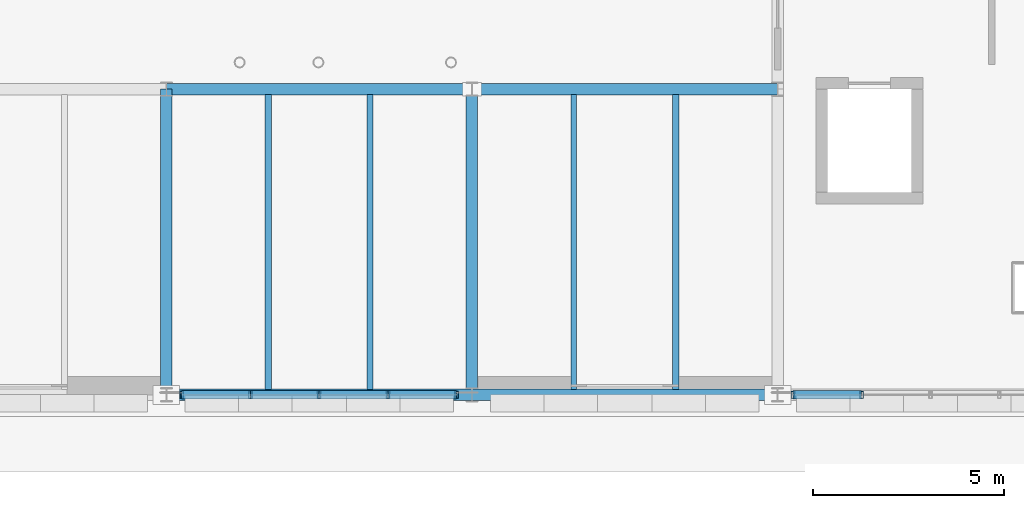
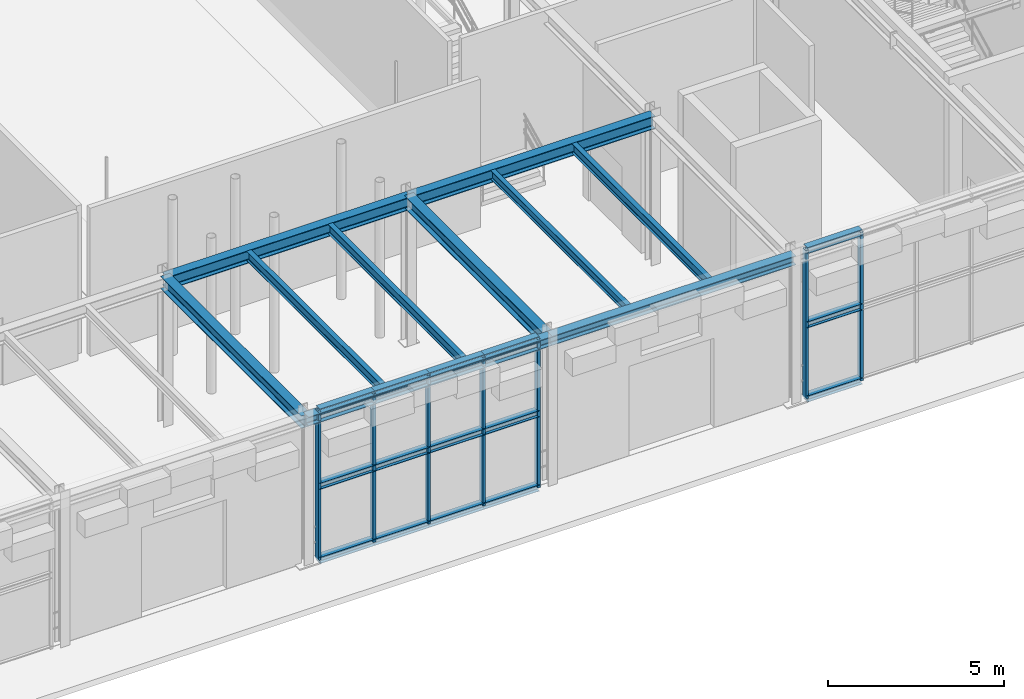
# One storey, part 28 of 129: 22 members, 10 beams, 2 elements without a shape of their own.
"""IFC4 building model written with IfcOpenShell, lengths in metres."""

from ifc_helpers import new_model, si_unit, direction, frame, origin, origin_2d, place, context, subcontext, project, spatial, hollow_rectangle, i_section, extrude, material, material_profile, profile_set, type_object, element, aggregate, save


model = new_model("IFC4")

# Units and contexts
model_context = context("Model", 3, precision=1e-05, world=origin(), true_north=direction((0.0, 1.0)))
body_context = subcontext(model_context, "Body", "Model", "MODEL_VIEW")
ifc_project = project(units=[si_unit("LENGTHUNIT", "METRE"), si_unit("AREAUNIT", "SQUARE_METRE"), si_unit("VOLUMEUNIT", "CUBIC_METRE"), si_unit("PLANEANGLEUNIT", "RADIAN"), si_unit("MASSUNIT", "GRAM", prefix="KILO")], contexts=[model_context])

# Site, building, storey
site_placement = place(None, origin())
site = spatial("IfcSite", under=ifc_project, at=site_placement, CompositionType="ELEMENT")
building_placement = place(site_placement, origin())
building = spatial("IfcBuilding", under=site, at=building_placement, Name="Sundkrona Museum", CompositionType="ELEMENT")
storey_placement = place(building_placement, origin())
storey = spatial("IfcBuildingStorey", under=building, at=storey_placement, Name="L00", CompositionType="ELEMENT", Elevation=0.0)

# Beams
ifc_material_1 = material(Name="Steel S355J2", Category="steel")
ifc_material_profile_1 = material_profile(ifc_material_1, i_section(OverallWidth=0.300048828125, OverallDepth=0.43994140625, WebThickness=0.011474609375, FlangeThickness=0.02099609375, FilletRadius=0.027099609375, at=origin_2d()), Name="HEA 450")
ifc_profile_set_1 = profile_set([ifc_material_profile_1], Name="Steel S355J2")
beam_type_1 = type_object("IfcBeamType", Name="B-HEA450", PredefinedType="BEAM", material=ifc_profile_set_1)
for number, where, z_axis, x_axis, name in (
    (1, (96.0, 8.0, 4.919921875), (1.0, 0.0, 0.0), (0.0, 1.0, 0.0), "L00 Girder X-0436"),
    (2, (104.0, 8.0, 4.919921875), (1.0, 0.0, 0.0), (0.0, 1.0, 0.0), "L00 Girder X-0437"),
    (3, (96.0, 0.0, 4.919921875), (0.0, 1.0, 0.0), (-1.0, 0.0, 0.0), "L00 Girder Y-0699"),
    (4, (104.0, 0.0, 4.919921875), (0.0, 1.0, 0.0), (-1.0, 0.0, 0.0), "L00 Girder Y-0709"),
):
    element("IfcBeam", number, at=place(storey_placement, frame(where, z_axis=z_axis, x_axis=x_axis)), inside=storey, type_object=beam_type_1, Name=name, PredefinedType="BEAM", context=body_context, shape_type="SweptSolid", body=[
        extrude(i_section(OverallWidth=0.300048828125, OverallDepth=0.43994140625, WebThickness=0.011474609375, FlangeThickness=0.02099609375, FilletRadius=0.027099609375, at=origin_2d()), origin(), (0.0, 0.0, 1.0), 8.0),
    ])
ifc_material_profile_2 = material_profile(ifc_material_1, i_section(OverallWidth=0.14990234375, OverallDepth=0.300048828125, WebThickness=0.007080078125, FlangeThickness=0.0107421875, FilletRadius=0.014892578125, at=origin_2d()), Name="IPE 300")
ifc_profile_set_2 = profile_set([ifc_material_profile_2], Name="Steel S355J2")
beam_type_2 = type_object("IfcBeamType", Name="J-IPE300", PredefinedType="JOIST", material=ifc_profile_set_2)
beam_placement = place(storey_placement, frame((106.666748046875, 0.14404296875, 4.989990234375), z_axis=(0.0, 1.0, 0.0), x_axis=(-1.0, 0.0, 0.0)))
element("IfcBeam", 5, at=beam_placement, inside=storey, type_object=beam_type_2, Name="L00 Composite Joist 0435", PredefinedType="JOIST", context=body_context, shape_type="SweptSolid", body=[
    extrude(i_section(OverallWidth=0.14990234375, OverallDepth=0.300048828125, WebThickness=0.007080078125, FlangeThickness=0.0107421875, FilletRadius=0.014892578125, at=origin_2d()), origin(), (0.0, 0.0, 1.0), 7.7119140625),
])
ifc_material_profile_3 = material_profile(ifc_material_1, i_section(OverallWidth=0.159912109375, OverallDepth=0.330078125, WebThickness=0.007568359375, FlangeThickness=0.011474609375, FilletRadius=0.01806640625, at=origin_2d()), Name="IPE 330")
ifc_profile_set_3 = profile_set([ifc_material_profile_3], Name="Steel S355J2")
beam_type_3 = type_object("IfcBeamType", Name="J-IPE330", PredefinedType="JOIST", material=ifc_profile_set_3)
for number, where, z_axis, x_axis, name in (
    (6, (98.666748046875, 0.14404296875, 4.97509765625), (0.0, 1.0, 0.0), (-1.0, 0.0, 0.0), "L00 Composite Joist 0431"),
    (7, (101.333251953125, 0.14404296875, 4.97509765625), (0.0, 1.0, 0.0), (-1.0, 0.0, 0.0), "L00 Composite Joist 0432"),
    (8, (109.333251953125, 0.14404296875, 4.97509765625), (0.0, 1.0, 0.0), (-1.0, 0.0, 0.0), "L00 Composite Joist 0436"),
):
    element("IfcBeam", number, at=place(storey_placement, frame(where, z_axis=z_axis, x_axis=x_axis)), inside=storey, type_object=beam_type_3, Name=name, PredefinedType="JOIST", context=body_context, shape_type="SweptSolid", body=[
        extrude(i_section(OverallWidth=0.159912109375, OverallDepth=0.330078125, WebThickness=0.007568359375, FlangeThickness=0.011474609375, FilletRadius=0.01806640625, at=origin_2d()), origin(), (0.0, 0.0, 1.0), 7.7119140625),
    ])

# Curtain wall, members
ifc_material_2 = material(Name="Unitised Aluminium-Steel and Ceramic-Clad Curtain Walling", Category="steel")
curtain_wall_type = type_object("IfcCurtainWallType", Name="CW-AT-72x50", PredefinedType="NOTDEFINED", material=ifc_material_2)
curtain_wall_1_placement = place(storey_placement, origin())
curtain_wall_1 = element("IfcCurtainWall", 9, at=curtain_wall_1_placement, inside=storey, type_object=curtain_wall_type, Name="L00 Curtain Wall CW-L00-018", PredefinedType="NOTDEFINED")
ifc_material_3 = material(Name="Aluminium EN AW-6060 T66", Category="aluminium")
ifc_material_profile_4 = material_profile(ifc_material_3, hollow_rectangle(XDim=0.090087890625, YDim=0.179931640625, WallThickness=0.00634765625, at=origin_2d()), Name="RHS 180x90x6.3")
ifc_profile_set_4 = profile_set([ifc_material_profile_4], Name="Aluminium EN AW-6060 T66")
member_type_1 = type_object("IfcMemberType", Name="ML-180", PredefinedType="MULLION", material=ifc_profile_set_4)
member_1_placement = place(storey_placement, frame((96.39990234375, 0.0, -0.00390625), z_axis=(0.0, 0.0, 1.0), x_axis=(1.0, 0.0, 0.0)))
member_1 = element("IfcMember", 10, at=member_1_placement, type_object=member_type_1, Name="CW-L00-018 Mullion 01", PredefinedType="MULLION", context=body_context, shape_type="SweptSolid", body=[
    extrude(hollow_rectangle(XDim=0.090087890625, YDim=0.179931640625, WallThickness=0.00634765625, at=origin_2d()), origin(), (0.0, 0.0, 1.0), 5.14794921875),
])
member_2_placement = place(storey_placement, frame((98.199951171875, 0.0, -0.00390625), z_axis=(0.0, 0.0, 1.0), x_axis=(1.0, 0.0, 0.0)))
member_2 = element("IfcMember", 11, at=member_2_placement, type_object=member_type_1, Name="CW-L00-018 Mullion 02", PredefinedType="MULLION", context=body_context, shape_type="SweptSolid", body=[
    extrude(hollow_rectangle(XDim=0.090087890625, YDim=0.179931640625, WallThickness=0.00634765625, at=origin_2d()), origin(), (0.0, 0.0, 1.0), 5.14794921875),
])
member_3_placement = place(storey_placement, frame((100.0, 0.0, -0.00390625), z_axis=(0.0, 0.0, 1.0), x_axis=(1.0, 0.0, 0.0)))
member_3 = element("IfcMember", 12, at=member_3_placement, type_object=member_type_1, Name="CW-L00-018 Mullion 03", PredefinedType="MULLION", context=body_context, shape_type="SweptSolid", body=[
    extrude(hollow_rectangle(XDim=0.090087890625, YDim=0.179931640625, WallThickness=0.00634765625, at=origin_2d()), origin(), (0.0, 0.0, 1.0), 5.14794921875),
])
member_4_placement = place(storey_placement, frame((101.800048828125, 0.0, -0.00390625), z_axis=(0.0, 0.0, 1.0), x_axis=(1.0, 0.0, 0.0)))
member_4 = element("IfcMember", 13, at=member_4_placement, type_object=member_type_1, Name="CW-L00-018 Mullion 04", PredefinedType="MULLION", context=body_context, shape_type="SweptSolid", body=[
    extrude(hollow_rectangle(XDim=0.090087890625, YDim=0.179931640625, WallThickness=0.00634765625, at=origin_2d()), origin(), (0.0, 0.0, 1.0), 5.14794921875),
])
member_5_placement = place(storey_placement, frame((103.60009765625, 0.0, -0.00390625), z_axis=(0.0, 0.0, 1.0), x_axis=(1.0, 0.0, 0.0)))
member_5 = element("IfcMember", 14, at=member_5_placement, type_object=member_type_1, Name="CW-L00-018 Mullion 05", PredefinedType="MULLION", context=body_context, shape_type="SweptSolid", body=[
    extrude(hollow_rectangle(XDim=0.090087890625, YDim=0.179931640625, WallThickness=0.00634765625, at=origin_2d()), origin(), (0.0, 0.0, 1.0), 5.14794921875),
])

curtain_wall_2_placement = place(storey_placement, origin())
curtain_wall_2 = element("IfcCurtainWall", 15, at=curtain_wall_2_placement, inside=storey, type_object=curtain_wall_type, Name="L00 Curtain Wall CW-L00-019", PredefinedType="NOTDEFINED")
member_6_placement = place(storey_placement, frame((112.39990234375, 0.0, -0.00390625), z_axis=(0.0, 0.0, 1.0), x_axis=(1.0, 0.0, 0.0)))
member_6 = element("IfcMember", 16, at=member_6_placement, type_object=member_type_1, Name="CW-L00-019 Mullion 01", PredefinedType="MULLION", context=body_context, shape_type="SweptSolid", body=[
    extrude(hollow_rectangle(XDim=0.090087890625, YDim=0.179931640625, WallThickness=0.00634765625, at=origin_2d()), origin(), (0.0, 0.0, 1.0), 5.14794921875),
])
member_7_placement = place(storey_placement, frame((114.199951171875, 0.0, -0.00390625), z_axis=(0.0, 0.0, 1.0), x_axis=(1.0, 0.0, 0.0)))
member_7 = element("IfcMember", 17, at=member_7_placement, type_object=member_type_1, Name="CW-L00-019 Mullion 02", PredefinedType="MULLION", context=body_context, shape_type="SweptSolid", body=[
    extrude(hollow_rectangle(XDim=0.090087890625, YDim=0.179931640625, WallThickness=0.00634765625, at=origin_2d()), origin(), (0.0, 0.0, 1.0), 5.14794921875),
])

# Beams
ifc_material_profile_5 = material_profile(ifc_material_1, i_section(OverallWidth=0.300048828125, OverallDepth=0.320068359375, WebThickness=0.011474609375, FlangeThickness=0.0205078125, FilletRadius=0.027099609375, at=origin_2d()), Name="HEB 320")
ifc_profile_set_5 = profile_set([ifc_material_profile_5], Name="Steel S355J2")
beam_type_4 = type_object("IfcBeamType", Name="SP-HEB320", PredefinedType="SPANDREL", material=ifc_profile_set_5)
for number, where, z_axis, x_axis, name in (
    (18, (96.0, 0.0, 4.97998046875), (1.0, 0.0, 0.0), (0.0, 1.0, 0.0), "L00 Girder X-0425"),
    (19, (104.0, 0.0, 4.97998046875), (1.0, 0.0, 0.0), (0.0, 1.0, 0.0), "L00 Girder X-0426"),
):
    element("IfcBeam", number, at=place(storey_placement, frame(where, z_axis=z_axis, x_axis=x_axis)), inside=storey, type_object=beam_type_4, Name=name, PredefinedType="SPANDREL", context=body_context, shape_type="SweptSolid", body=[
        extrude(i_section(OverallWidth=0.300048828125, OverallDepth=0.320068359375, WebThickness=0.011474609375, FlangeThickness=0.0205078125, FilletRadius=0.027099609375, at=origin_2d()), origin(), (0.0, 0.0, 1.0), 8.0),
    ])

# Member
ifc_material_profile_6 = material_profile(ifc_material_1, i_section(OverallWidth=0.219970703125, OverallDepth=0.219970703125, WebThickness=0.009521484375, FlangeThickness=0.01611328125, FilletRadius=0.01806640625, at=origin_2d()), Name="HEB 220")
ifc_profile_set_6 = profile_set([ifc_material_profile_6], Name="Steel S355J2")
member_type_2 = type_object("IfcMemberType", Name="TR-HEB220", PredefinedType="USERDEFINED", material=ifc_profile_set_6)
member_8_placement = place(storey_placement, frame((96.39990234375, 0.0, -0.00390625), z_axis=(1.0, 0.0, 0.0), x_axis=(0.0, 1.0, 0.0)))
member_8 = element("IfcMember", 20, at=member_8_placement, type_object=member_type_2, Name="CW-L00-018 Transom 01", ObjectType="TRANSOM", PredefinedType="USERDEFINED", context=body_context, shape_type="SweptSolid", body=[
    extrude(i_section(OverallWidth=0.219970703125, OverallDepth=0.219970703125, WebThickness=0.009521484375, FlangeThickness=0.01611328125, FilletRadius=0.01806640625, at=origin_2d()), origin(), (0.0, 0.0, 1.0), 1.800048828125),
])

member_9_placement = place(storey_placement, frame((96.39990234375, 0.0, 2.570068359375), z_axis=(1.0, 0.0, 0.0), x_axis=(0.0, 1.0, 0.0)))
member_9 = element("IfcMember", 21, at=member_9_placement, type_object=member_type_2, Name="CW-L00-018 Transom 02", ObjectType="TRANSOM", PredefinedType="USERDEFINED", context=body_context, shape_type="SweptSolid", body=[
    extrude(i_section(OverallWidth=0.219970703125, OverallDepth=0.219970703125, WebThickness=0.009521484375, FlangeThickness=0.01611328125, FilletRadius=0.01806640625, at=origin_2d()), origin(), (0.0, 0.0, 1.0), 1.800048828125),
])

member_10_placement = place(storey_placement, frame((96.39990234375, 0.0, 5.14404296875), z_axis=(1.0, 0.0, 0.0), x_axis=(0.0, 1.0, 0.0)))
member_10 = element("IfcMember", 22, at=member_10_placement, type_object=member_type_2, Name="CW-L00-018 Transom 03", ObjectType="TRANSOM", PredefinedType="USERDEFINED", context=body_context, shape_type="SweptSolid", body=[
    extrude(i_section(OverallWidth=0.219970703125, OverallDepth=0.219970703125, WebThickness=0.009521484375, FlangeThickness=0.01611328125, FilletRadius=0.01806640625, at=origin_2d()), origin(), (0.0, 0.0, 1.0), 1.800048828125),
])

member_11_placement = place(storey_placement, frame((98.199951171875, 0.0, -0.00390625), z_axis=(1.0, 0.0, 0.0), x_axis=(0.0, 1.0, 0.0)))
member_11 = element("IfcMember", 23, at=member_11_placement, type_object=member_type_2, Name="CW-L00-018 Transom 04", ObjectType="TRANSOM", PredefinedType="USERDEFINED", context=body_context, shape_type="SweptSolid", body=[
    extrude(i_section(OverallWidth=0.219970703125, OverallDepth=0.219970703125, WebThickness=0.009521484375, FlangeThickness=0.01611328125, FilletRadius=0.01806640625, at=origin_2d()), origin(), (0.0, 0.0, 1.0), 1.800048828125),
])

member_12_placement = place(storey_placement, frame((98.199951171875, 0.0, 2.570068359375), z_axis=(1.0, 0.0, 0.0), x_axis=(0.0, 1.0, 0.0)))
member_12 = element("IfcMember", 24, at=member_12_placement, type_object=member_type_2, Name="CW-L00-018 Transom 05", ObjectType="TRANSOM", PredefinedType="USERDEFINED", context=body_context, shape_type="SweptSolid", body=[
    extrude(i_section(OverallWidth=0.219970703125, OverallDepth=0.219970703125, WebThickness=0.009521484375, FlangeThickness=0.01611328125, FilletRadius=0.01806640625, at=origin_2d()), origin(), (0.0, 0.0, 1.0), 1.800048828125),
])

member_13_placement = place(storey_placement, frame((98.199951171875, 0.0, 5.14404296875), z_axis=(1.0, 0.0, 0.0), x_axis=(0.0, 1.0, 0.0)))
member_13 = element("IfcMember", 25, at=member_13_placement, type_object=member_type_2, Name="CW-L00-018 Transom 06", ObjectType="TRANSOM", PredefinedType="USERDEFINED", context=body_context, shape_type="SweptSolid", body=[
    extrude(i_section(OverallWidth=0.219970703125, OverallDepth=0.219970703125, WebThickness=0.009521484375, FlangeThickness=0.01611328125, FilletRadius=0.01806640625, at=origin_2d()), origin(), (0.0, 0.0, 1.0), 1.800048828125),
])

member_14_placement = place(storey_placement, frame((100.0, 0.0, -0.00390625), z_axis=(1.0, 0.0, 0.0), x_axis=(0.0, 1.0, 0.0)))
member_14 = element("IfcMember", 26, at=member_14_placement, type_object=member_type_2, Name="CW-L00-018 Transom 07", ObjectType="TRANSOM", PredefinedType="USERDEFINED", context=body_context, shape_type="SweptSolid", body=[
    extrude(i_section(OverallWidth=0.219970703125, OverallDepth=0.219970703125, WebThickness=0.009521484375, FlangeThickness=0.01611328125, FilletRadius=0.01806640625, at=origin_2d()), origin(), (0.0, 0.0, 1.0), 1.800048828125),
])

member_15_placement = place(storey_placement, frame((100.0, 0.0, 2.570068359375), z_axis=(1.0, 0.0, 0.0), x_axis=(0.0, 1.0, 0.0)))
member_15 = element("IfcMember", 27, at=member_15_placement, type_object=member_type_2, Name="CW-L00-018 Transom 08", ObjectType="TRANSOM", PredefinedType="USERDEFINED", context=body_context, shape_type="SweptSolid", body=[
    extrude(i_section(OverallWidth=0.219970703125, OverallDepth=0.219970703125, WebThickness=0.009521484375, FlangeThickness=0.01611328125, FilletRadius=0.01806640625, at=origin_2d()), origin(), (0.0, 0.0, 1.0), 1.800048828125),
])

member_16_placement = place(storey_placement, frame((100.0, 0.0, 5.14404296875), z_axis=(1.0, 0.0, 0.0), x_axis=(0.0, 1.0, 0.0)))
member_16 = element("IfcMember", 28, at=member_16_placement, type_object=member_type_2, Name="CW-L00-018 Transom 09", ObjectType="TRANSOM", PredefinedType="USERDEFINED", context=body_context, shape_type="SweptSolid", body=[
    extrude(i_section(OverallWidth=0.219970703125, OverallDepth=0.219970703125, WebThickness=0.009521484375, FlangeThickness=0.01611328125, FilletRadius=0.01806640625, at=origin_2d()), origin(), (0.0, 0.0, 1.0), 1.800048828125),
])

member_17_placement = place(storey_placement, frame((101.800048828125, 0.0, -0.00390625), z_axis=(1.0, 0.0, 0.0), x_axis=(0.0, 1.0, 0.0)))
member_17 = element("IfcMember", 29, at=member_17_placement, type_object=member_type_2, Name="CW-L00-018 Transom 10", ObjectType="TRANSOM", PredefinedType="USERDEFINED", context=body_context, shape_type="SweptSolid", body=[
    extrude(i_section(OverallWidth=0.219970703125, OverallDepth=0.219970703125, WebThickness=0.009521484375, FlangeThickness=0.01611328125, FilletRadius=0.01806640625, at=origin_2d()), origin(), (0.0, 0.0, 1.0), 1.800048828125),
])

member_18_placement = place(storey_placement, frame((101.800048828125, 0.0, 2.570068359375), z_axis=(1.0, 0.0, 0.0), x_axis=(0.0, 1.0, 0.0)))
member_18 = element("IfcMember", 30, at=member_18_placement, type_object=member_type_2, Name="CW-L00-018 Transom 11", ObjectType="TRANSOM", PredefinedType="USERDEFINED", context=body_context, shape_type="SweptSolid", body=[
    extrude(i_section(OverallWidth=0.219970703125, OverallDepth=0.219970703125, WebThickness=0.009521484375, FlangeThickness=0.01611328125, FilletRadius=0.01806640625, at=origin_2d()), origin(), (0.0, 0.0, 1.0), 1.800048828125),
])

member_19_placement = place(storey_placement, frame((101.800048828125, 0.0, 5.14404296875), z_axis=(1.0, 0.0, 0.0), x_axis=(0.0, 1.0, 0.0)))
member_19 = element("IfcMember", 31, at=member_19_placement, type_object=member_type_2, Name="CW-L00-018 Transom 12", ObjectType="TRANSOM", PredefinedType="USERDEFINED", context=body_context, shape_type="SweptSolid", body=[
    extrude(i_section(OverallWidth=0.219970703125, OverallDepth=0.219970703125, WebThickness=0.009521484375, FlangeThickness=0.01611328125, FilletRadius=0.01806640625, at=origin_2d()), origin(), (0.0, 0.0, 1.0), 1.800048828125),
])

aggregate(curtain_wall_1, [member_1, member_2, member_3, member_4, member_5, member_8, member_9, member_10, member_11, member_12, member_13, member_14, member_15, member_16, member_17, member_18, member_19])

member_20_placement = place(storey_placement, frame((112.39990234375, 0.0, -0.00390625), z_axis=(1.0, 0.0, 0.0), x_axis=(0.0, 1.0, 0.0)))
member_20 = element("IfcMember", 32, at=member_20_placement, type_object=member_type_2, Name="CW-L00-019 Transom 01", ObjectType="TRANSOM", PredefinedType="USERDEFINED", context=body_context, shape_type="SweptSolid", body=[
    extrude(i_section(OverallWidth=0.219970703125, OverallDepth=0.219970703125, WebThickness=0.009521484375, FlangeThickness=0.01611328125, FilletRadius=0.01806640625, at=origin_2d()), origin(), (0.0, 0.0, 1.0), 1.800048828125),
])

member_21_placement = place(storey_placement, frame((112.39990234375, 0.0, 2.570068359375), z_axis=(1.0, 0.0, 0.0), x_axis=(0.0, 1.0, 0.0)))
member_21 = element("IfcMember", 33, at=member_21_placement, type_object=member_type_2, Name="CW-L00-019 Transom 02", ObjectType="TRANSOM", PredefinedType="USERDEFINED", context=body_context, shape_type="SweptSolid", body=[
    extrude(i_section(OverallWidth=0.219970703125, OverallDepth=0.219970703125, WebThickness=0.009521484375, FlangeThickness=0.01611328125, FilletRadius=0.01806640625, at=origin_2d()), origin(), (0.0, 0.0, 1.0), 1.800048828125),
])

member_22_placement = place(storey_placement, frame((112.39990234375, 0.0, 5.14404296875), z_axis=(1.0, 0.0, 0.0), x_axis=(0.0, 1.0, 0.0)))
member_22 = element("IfcMember", 34, at=member_22_placement, type_object=member_type_2, Name="CW-L00-019 Transom 03", ObjectType="TRANSOM", PredefinedType="USERDEFINED", context=body_context, shape_type="SweptSolid", body=[
    extrude(i_section(OverallWidth=0.219970703125, OverallDepth=0.219970703125, WebThickness=0.009521484375, FlangeThickness=0.01611328125, FilletRadius=0.01806640625, at=origin_2d()), origin(), (0.0, 0.0, 1.0), 1.800048828125),
])

aggregate(curtain_wall_2, [member_6, member_7, member_20, member_21, member_22])

save(model, "model.ifc")
